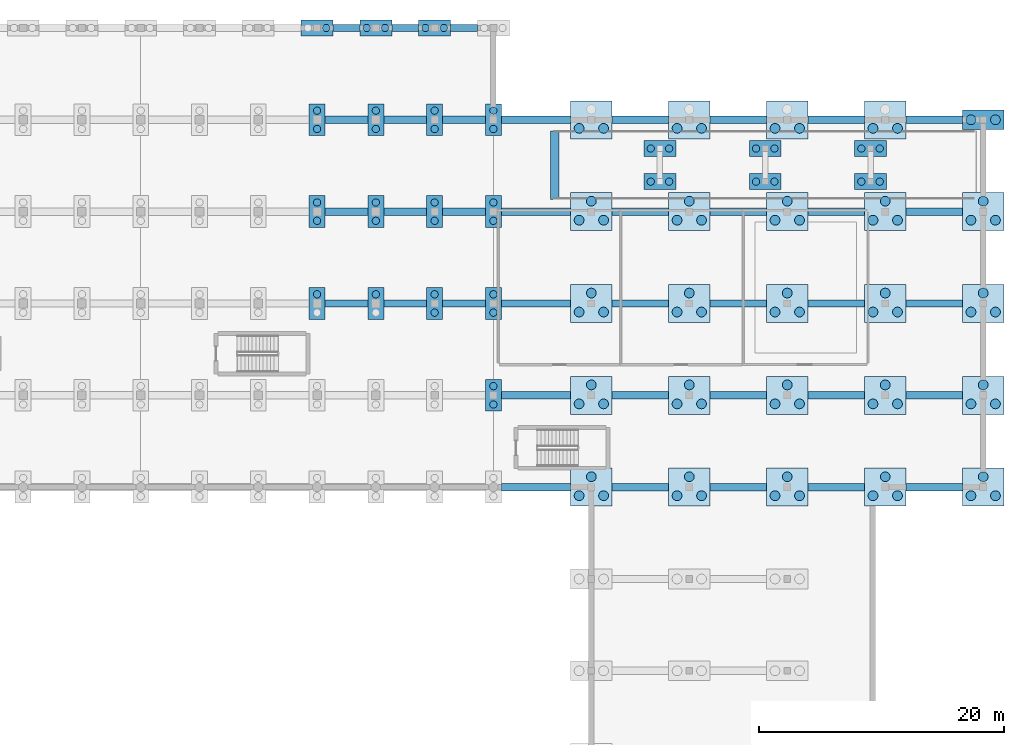
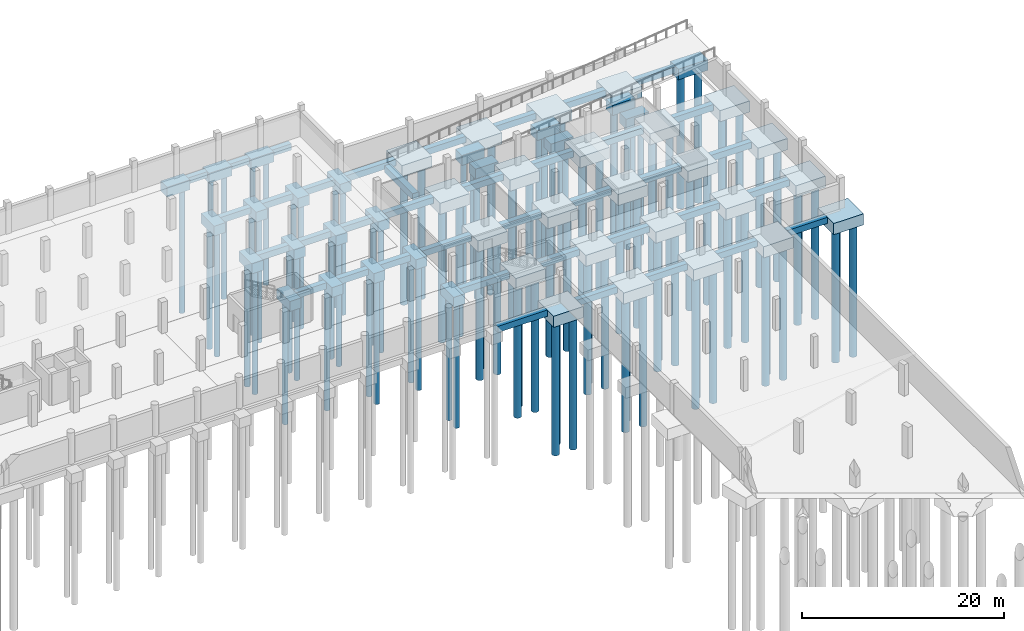
# One storey, part 3 of 17: 111 piles, 85 footings.
"""IFC4 building model written with IfcOpenShell, lengths in metres."""

from ifc_helpers import new_model, si_unit, direction, frame, origin, origin_2d, place, context, subcontext, project, spatial, rectangle, circle, extrude, material, material_profile, profile_set, type_object, element, save


model = new_model("IFC4")

# Units and contexts
model_context = context("Model", 3, precision=1e-05, world=origin(), true_north=direction((0.0, 1.0)))
body_context = subcontext(model_context, "Body", "Model", "MODEL_VIEW")
ifc_project = project(units=[si_unit("LENGTHUNIT", "METRE"), si_unit("AREAUNIT", "SQUARE_METRE"), si_unit("VOLUMEUNIT", "CUBIC_METRE"), si_unit("PLANEANGLEUNIT", "RADIAN"), si_unit("MASSUNIT", "GRAM", prefix="KILO")], contexts=[model_context])

# Site, building, storey
site_placement = place(None, origin())
site = spatial("IfcSite", under=ifc_project, at=site_placement, CompositionType="ELEMENT")
building_placement = place(site_placement, origin())
building = spatial("IfcBuilding", under=site, at=building_placement, Name="Mawjan Specialist Oncology Clinic", CompositionType="ELEMENT")
storey_placement = place(building_placement, frame((0.0, 0.0, -4.199951171875)))
storey = spatial("IfcBuildingStorey", under=building, at=storey_placement, Name="B01", CompositionType="ELEMENT", Elevation=-4.199951171875)

# Footings
ifc_material_1 = material(Name="Concrete C40/50", Category="concrete")
footing_type_1 = type_object("IfcFootingType", Name="PC-2A", PredefinedType="PILE_CAP", material=ifc_material_1)
for number, where, z_axis, x_axis, name in (
    (1, (93.60009765625, 90.800048828125, -1.64990234375), (0.0, 0.0, 1.0), (0.0, 1.0, 0.0), "Pile Cap FTG-PC-182"),
    (2, (93.60009765625, 98.300048828125, -1.64990234375), (0.0, 0.0, 1.0), (0.0, 1.0, 0.0), "Pile Cap FTG-PC-183"),
    (3, (93.60009765625, 105.800048828125, -1.64990234375), (0.0, 0.0, 1.0), (0.0, 1.0, 0.0), "Pile Cap FTG-PC-184"),
    (4, (93.60009765625, 113.300048828125, -1.64990234375), (0.0, 0.0, 1.0), (1.0, 0.0, 0.0), "Pile Cap FTG-PC-185"),
    (5, (98.39990234375, 90.800048828125, -1.64990234375), (0.0, 0.0, 1.0), (0.0, 1.0, 0.0), "Pile Cap FTG-PC-192"),
    (6, (98.39990234375, 98.300048828125, -1.64990234375), (0.0, 0.0, 1.0), (0.0, 1.0, 0.0), "Pile Cap FTG-PC-193"),
    (7, (98.39990234375, 105.800048828125, -1.64990234375), (0.0, 0.0, 1.0), (0.0, 1.0, 0.0), "Pile Cap FTG-PC-194"),
    (8, (98.39990234375, 113.300048828125, -1.64990234375), (0.0, 0.0, 1.0), (1.0, 0.0, 0.0), "Pile Cap FTG-PC-195"),
    (9, (103.199951171875, 90.800048828125, -1.64990234375), (0.0, 0.0, 1.0), (0.0, 1.0, 0.0), "Pile Cap FTG-PC-202"),
    (10, (103.199951171875, 98.300048828125, -1.64990234375), (0.0, 0.0, 1.0), (0.0, 1.0, 0.0), "Pile Cap FTG-PC-203"),
    (11, (103.199951171875, 105.800048828125, -1.64990234375), (0.0, 0.0, 1.0), (0.0, 1.0, 0.0), "Pile Cap FTG-PC-204"),
    (12, (103.199951171875, 113.300048828125, -1.64990234375), (0.0, 0.0, 1.0), (1.0, 0.0, 0.0), "Pile Cap FTG-PC-205"),
    (13, (108.0, 83.300048828125, -1.64990234375), (0.0, 0.0, 1.0), (0.0, 1.0, 0.0), "Pile Cap FTG-PC-211"),
    (14, (108.0, 90.800048828125, -1.64990234375), (0.0, 0.0, 1.0), (0.0, 1.0, 0.0), "Pile Cap FTG-PC-212"),
    (15, (108.0, 98.300048828125, -1.64990234375), (0.0, 0.0, 1.0), (0.0, 1.0, 0.0), "Pile Cap FTG-PC-213"),
    (16, (108.0, 105.800048828125, -1.64990234375), (0.0, 0.0, 1.0), (0.0, 1.0, 0.0), "Pile Cap FTG-PC-214"),
    (17, (121.60009765625, 100.75, -1.64990234375), (0.0, 0.0, 1.0), (1.0, 0.0, 0.0), "Vehicle Ramp Support Pile Cap 1-1"),
    (18, (121.60009765625, 103.449951171875, -1.64990234375), (0.0, 0.0, 1.0), (1.0, 0.0, 0.0), "Vehicle Ramp Support Pile Cap 1-2"),
    (19, (130.199951171875, 100.75, -1.64990234375), (0.0, 0.0, 1.0), (1.0, 0.0, 0.0), "Vehicle Ramp Support Pile Cap 2-1"),
    (20, (130.199951171875, 103.449951171875, -1.64990234375), (0.0, 0.0, 1.0), (1.0, 0.0, 0.0), "Vehicle Ramp Support Pile Cap 2-2"),
    (21, (138.800048828125, 100.75, -1.64990234375), (0.0, 0.0, 1.0), (1.0, 0.0, 0.0), "Vehicle Ramp Support Pile Cap 3-1"),
    (22, (138.800048828125, 103.449951171875, -1.64990234375), (0.0, 0.0, 1.0), (1.0, 0.0, 0.0), "Vehicle Ramp Support Pile Cap 3-2"),
):
    element("IfcFooting", number, at=place(storey_placement, frame(where, z_axis=z_axis, x_axis=x_axis)), inside=storey, type_object=footing_type_1, Name=name, PredefinedType="PILE_CAP", context=body_context, shape_type="SweptSolid", body=[
        extrude(rectangle(XDim=2.60009765625, YDim=1.300048828125, at=origin_2d()), origin(), (0.0, 0.0, 1.0), 1.199951171875),
    ])
ifc_material_2 = material(Name="Concrete C40/50", Category="concrete")
footing_type_2 = type_object("IfcFootingType", Name="PC-2B", PredefinedType="PILE_CAP", material=ifc_material_2)
footing_1_placement = place(storey_placement, frame((148.0, 105.800048828125, -1.75), z_axis=(0.0, 0.0, 1.0), x_axis=(1.0, 0.0, 0.0)))
element("IfcFooting", 23, at=footing_1_placement, inside=storey, type_object=footing_type_2, Name="Pile Cap FTG-PC-253", PredefinedType="PILE_CAP", context=body_context, shape_type="SweptSolid", body=[
    extrude(rectangle(XDim=3.39990234375, YDim=1.60009765625, at=origin_2d()), origin(), (0.0, 0.0, 1.0), 1.300048828125),
])
ifc_material_3 = material(Name="Concrete C40/50", Category="concrete")
footing_type_3 = type_object("IfcFootingType", Name="PC-3A", PredefinedType="PILE_CAP", material=ifc_material_3)
for number, where, z_axis, x_axis, name in (
    (24, (116.0, 75.800048828125, -1.800048828125), (0.0, 0.0, 1.0), (1.0, 0.0, 0.0), "Pile Cap FTG-PC-219"),
    (25, (116.0, 83.300048828125, -1.800048828125), (0.0, 0.0, 1.0), (1.0, 0.0, 0.0), "Pile Cap FTG-PC-220"),
    (26, (116.0, 90.800048828125, -1.800048828125), (0.0, 0.0, 1.0), (1.0, 0.0, 0.0), "Pile Cap FTG-PC-221"),
    (27, (116.0, 98.300048828125, -1.800048828125), (0.0, 0.0, 1.0), (1.0, 0.0, 0.0), "Pile Cap FTG-PC-222"),
    (28, (116.0, 105.800048828125, -1.800048828125), (0.0, 0.0, 1.0), (1.0, 0.0, 0.0), "Pile Cap FTG-PC-223"),
    (29, (124.0, 75.800048828125, -1.800048828125), (0.0, 0.0, 1.0), (1.0, 0.0, 0.0), "Pile Cap FTG-PC-228"),
    (30, (124.0, 83.300048828125, -1.800048828125), (0.0, 0.0, 1.0), (1.0, 0.0, 0.0), "Pile Cap FTG-PC-229"),
    (31, (124.0, 90.800048828125, -1.800048828125), (0.0, 0.0, 1.0), (1.0, 0.0, 0.0), "Pile Cap FTG-PC-230"),
    (32, (124.0, 98.300048828125, -1.800048828125), (0.0, 0.0, 1.0), (1.0, 0.0, 0.0), "Pile Cap FTG-PC-231"),
    (33, (124.0, 105.800048828125, -1.800048828125), (0.0, 0.0, 1.0), (1.0, 0.0, 0.0), "Pile Cap FTG-PC-232"),
    (34, (132.0, 75.800048828125, -1.800048828125), (0.0, 0.0, 1.0), (1.0, 0.0, 0.0), "Pile Cap FTG-PC-237"),
    (35, (132.0, 83.300048828125, -1.800048828125), (0.0, 0.0, 1.0), (1.0, 0.0, 0.0), "Pile Cap FTG-PC-238"),
    (36, (132.0, 90.800048828125, -1.800048828125), (0.0, 0.0, 1.0), (1.0, 0.0, 0.0), "Pile Cap FTG-PC-239"),
    (37, (132.0, 98.300048828125, -1.800048828125), (0.0, 0.0, 1.0), (1.0, 0.0, 0.0), "Pile Cap FTG-PC-240"),
    (38, (132.0, 105.800048828125, -1.800048828125), (0.0, 0.0, 1.0), (1.0, 0.0, 0.0), "Pile Cap FTG-PC-241"),
    (39, (140.0, 75.800048828125, -1.800048828125), (0.0, 0.0, 1.0), (1.0, 0.0, 0.0), "Pile Cap FTG-PC-243"),
    (40, (140.0, 83.300048828125, -1.800048828125), (0.0, 0.0, 1.0), (1.0, 0.0, 0.0), "Pile Cap FTG-PC-244"),
    (41, (140.0, 90.800048828125, -1.800048828125), (0.0, 0.0, 1.0), (1.0, 0.0, 0.0), "Pile Cap FTG-PC-245"),
    (42, (140.0, 98.300048828125, -1.800048828125), (0.0, 0.0, 1.0), (1.0, 0.0, 0.0), "Pile Cap FTG-PC-246"),
    (43, (140.0, 105.800048828125, -1.800048828125), (0.0, 0.0, 1.0), (1.0, 0.0, 0.0), "Pile Cap FTG-PC-247"),
    (44, (148.0, 75.800048828125, -1.800048828125), (0.0, 0.0, 1.0), (1.0, 0.0, 0.0), "Pile Cap FTG-PC-249"),
    (45, (148.0, 83.300048828125, -1.800048828125), (0.0, 0.0, 1.0), (1.0, 0.0, 0.0), "Pile Cap FTG-PC-250"),
    (46, (148.0, 90.800048828125, -1.800048828125), (0.0, 0.0, 1.0), (1.0, 0.0, 0.0), "Pile Cap FTG-PC-251"),
    (47, (148.0, 98.300048828125, -1.800048828125), (0.0, 0.0, 1.0), (1.0, 0.0, 0.0), "Pile Cap FTG-PC-252"),
):
    element("IfcFooting", number, at=place(storey_placement, frame(where, z_axis=z_axis, x_axis=x_axis)), inside=storey, type_object=footing_type_3, Name=name, PredefinedType="PILE_CAP", context=body_context, shape_type="SweptSolid", body=[
        extrude(rectangle(XDim=3.39990234375, YDim=3.10009765625, at=origin_2d()), origin(), (0.0, 0.0, 1.0), 1.35009765625),
    ])

# Piles
ifc_material_4 = material(Name="Concrete C40/50", Category="concrete")
ifc_material_profile_1 = material_profile(ifc_material_4, circle(Radius=0.300048828125, at=origin_2d()), Name="BORED PILE D600", Category="concrete")
ifc_profile_set_1 = profile_set([ifc_material_profile_1], Name="Concrete C40/50")
pile_type_1 = type_object("IfcPileType", Name="PILE-600", PredefinedType="BORED", material=ifc_profile_set_1)
for number, where, z_axis, x_axis, name in (
    (48, (93.60009765625, 91.550048828125, -1.550048828125), (0.0, 0.0, -1.0), (1.0, 0.0, 0.0), "Bored Pile PIL-0462"),
    (49, (93.60009765625, 97.550048828125, -1.550048828125), (0.0, 0.0, -1.0), (1.0, 0.0, 0.0), "Bored Pile PIL-0463"),
    (50, (93.60009765625, 99.050048828125, -1.550048828125), (0.0, 0.0, -1.0), (1.0, 0.0, 0.0), "Bored Pile PIL-0464"),
    (51, (93.60009765625, 105.050048828125, -1.550048828125), (0.0, 0.0, -1.0), (1.0, 0.0, 0.0), "Bored Pile PIL-0465"),
    (52, (93.60009765625, 106.550048828125, -1.550048828125), (0.0, 0.0, -1.0), (1.0, 0.0, 0.0), "Bored Pile PIL-0466"),
    (53, (94.35009765625, 113.300048828125, -1.550048828125), (0.0, 0.0, -1.0), (1.0, 0.0, 0.0), "Bored Pile PIL-0468"),
    (54, (98.39990234375, 91.550048828125, -1.550048828125), (0.0, 0.0, -1.0), (1.0, 0.0, 0.0), "Bored Pile PIL-0482"),
    (55, (98.39990234375, 97.550048828125, -1.550048828125), (0.0, 0.0, -1.0), (1.0, 0.0, 0.0), "Bored Pile PIL-0483"),
    (56, (98.39990234375, 99.050048828125, -1.550048828125), (0.0, 0.0, -1.0), (1.0, 0.0, 0.0), "Bored Pile PIL-0484"),
    (57, (98.39990234375, 105.050048828125, -1.550048828125), (0.0, 0.0, -1.0), (1.0, 0.0, 0.0), "Bored Pile PIL-0485"),
    (58, (98.39990234375, 106.550048828125, -1.550048828125), (0.0, 0.0, -1.0), (1.0, 0.0, 0.0), "Bored Pile PIL-0486"),
    (59, (97.64990234375, 113.300048828125, -1.550048828125), (0.0, 0.0, -1.0), (1.0, 0.0, 0.0), "Bored Pile PIL-0487"),
    (60, (99.14990234375, 113.300048828125, -1.550048828125), (0.0, 0.0, -1.0), (1.0, 0.0, 0.0), "Bored Pile PIL-0488"),
    (61, (103.199951171875, 90.050048828125, -1.550048828125), (0.0, 0.0, -1.0), (1.0, 0.0, 0.0), "Bored Pile PIL-0501"),
    (62, (103.199951171875, 91.550048828125, -1.550048828125), (0.0, 0.0, -1.0), (1.0, 0.0, 0.0), "Bored Pile PIL-0502"),
    (63, (103.199951171875, 97.550048828125, -1.550048828125), (0.0, 0.0, -1.0), (1.0, 0.0, 0.0), "Bored Pile PIL-0503"),
    (64, (103.199951171875, 99.050048828125, -1.550048828125), (0.0, 0.0, -1.0), (1.0, 0.0, 0.0), "Bored Pile PIL-0504"),
    (65, (103.199951171875, 105.050048828125, -1.550048828125), (0.0, 0.0, -1.0), (1.0, 0.0, 0.0), "Bored Pile PIL-0505"),
    (66, (103.199951171875, 106.550048828125, -1.550048828125), (0.0, 0.0, -1.0), (1.0, 0.0, 0.0), "Bored Pile PIL-0506"),
    (67, (102.449951171875, 113.300048828125, -1.550048828125), (0.0, 0.0, -1.0), (1.0, 0.0, 0.0), "Bored Pile PIL-0507"),
    (68, (103.949951171875, 113.300048828125, -1.550048828125), (0.0, 0.0, -1.0), (1.0, 0.0, 0.0), "Bored Pile PIL-0508"),
    (69, (108.0, 82.550048828125, -1.550048828125), (0.0, 0.0, -1.0), (1.0, 0.0, 0.0), "Bored Pile PIL-0519"),
    (70, (108.0, 84.050048828125, -1.550048828125), (0.0, 0.0, -1.0), (1.0, 0.0, 0.0), "Bored Pile PIL-0520"),
    (71, (108.0, 90.050048828125, -1.550048828125), (0.0, 0.0, -1.0), (1.0, 0.0, 0.0), "Bored Pile PIL-0521"),
    (72, (108.0, 91.550048828125, -1.550048828125), (0.0, 0.0, -1.0), (1.0, 0.0, 0.0), "Bored Pile PIL-0522"),
    (73, (108.0, 97.550048828125, -1.550048828125), (0.0, 0.0, -1.0), (1.0, 0.0, 0.0), "Bored Pile PIL-0523"),
    (74, (108.0, 99.050048828125, -1.550048828125), (0.0, 0.0, -1.0), (1.0, 0.0, 0.0), "Bored Pile PIL-0524"),
    (75, (108.0, 105.050048828125, -1.550048828125), (0.0, 0.0, -1.0), (1.0, 0.0, 0.0), "Bored Pile PIL-0525"),
    (76, (108.0, 106.550048828125, -1.550048828125), (0.0, 0.0, -1.0), (1.0, 0.0, 0.0), "Bored Pile PIL-0526"),
    (77, (120.85009765625, 100.75, -1.550048828125), (0.0, 0.0, -1.0), (1.0, 0.0, 0.0), "Vehicle Ramp Bored Pile 1-1-1"),
    (78, (122.35009765625, 100.75, -1.550048828125), (0.0, 0.0, -1.0), (1.0, 0.0, 0.0), "Vehicle Ramp Bored Pile 1-1-2"),
    (79, (120.85009765625, 103.449951171875, -1.550048828125), (0.0, 0.0, -1.0), (1.0, 0.0, 0.0), "Vehicle Ramp Bored Pile 1-2-1"),
    (80, (122.35009765625, 103.449951171875, -1.550048828125), (0.0, 0.0, -1.0), (1.0, 0.0, 0.0), "Vehicle Ramp Bored Pile 1-2-2"),
    (81, (129.449951171875, 100.75, -1.550048828125), (0.0, 0.0, -1.0), (1.0, 0.0, 0.0), "Vehicle Ramp Bored Pile 2-1-1"),
    (82, (130.949951171875, 100.75, -1.550048828125), (0.0, 0.0, -1.0), (1.0, 0.0, 0.0), "Vehicle Ramp Bored Pile 2-1-2"),
    (83, (129.449951171875, 103.449951171875, -1.550048828125), (0.0, 0.0, -1.0), (1.0, 0.0, 0.0), "Vehicle Ramp Bored Pile 2-2-1"),
    (84, (130.949951171875, 103.449951171875, -1.550048828125), (0.0, 0.0, -1.0), (1.0, 0.0, 0.0), "Vehicle Ramp Bored Pile 2-2-2"),
    (85, (138.050048828125, 100.75, -1.550048828125), (0.0, 0.0, -1.0), (1.0, 0.0, 0.0), "Vehicle Ramp Bored Pile 3-1-1"),
    (86, (139.550048828125, 100.75, -1.550048828125), (0.0, 0.0, -1.0), (1.0, 0.0, 0.0), "Vehicle Ramp Bored Pile 3-1-2"),
    (87, (138.050048828125, 103.449951171875, -1.550048828125), (0.0, 0.0, -1.0), (1.0, 0.0, 0.0), "Vehicle Ramp Bored Pile 3-2-1"),
    (88, (139.550048828125, 103.449951171875, -1.550048828125), (0.0, 0.0, -1.0), (1.0, 0.0, 0.0), "Vehicle Ramp Bored Pile 3-2-2"),
):
    element("IfcPile", number, at=place(storey_placement, frame(where, z_axis=z_axis, x_axis=x_axis)), inside=storey, type_object=pile_type_1, Name=name, PredefinedType="BORED", context=body_context, shape_type="SweptSolid", body=[
        extrude(circle(Radius=0.300048828125, at=origin_2d()), origin(), (0.0, 0.0, 1.0), 15.050048828125),
    ])
ifc_material_5 = material(Name="Concrete C40/50", Category="concrete")
ifc_material_profile_2 = material_profile(ifc_material_5, circle(Radius=0.39990234375, at=origin_2d()), Name="BORED PILE D800", Category="concrete")
ifc_profile_set_2 = profile_set([ifc_material_profile_2], Name="Concrete C40/50")
pile_type_2 = type_object("IfcPileType", Name="PILE-800", PredefinedType="BORED", material=ifc_profile_set_2)
for number, where, z_axis, x_axis, name in (
    (89, (115.0, 75.10009765625, -1.699951171875), (0.0, 0.0, -1.0), (1.0, 0.0, 0.0), "Bored Pile PIL-0536"),
    (90, (117.0, 75.10009765625, -1.699951171875), (0.0, 0.0, -1.0), (1.0, 0.0, 0.0), "Bored Pile PIL-0537"),
    (91, (116.0, 76.64990234375, -1.699951171875), (0.0, 0.0, -1.0), (1.0, 0.0, 0.0), "Bored Pile PIL-0538"),
    (92, (115.0, 82.60009765625, -1.699951171875), (0.0, 0.0, -1.0), (1.0, 0.0, 0.0), "Bored Pile PIL-0539"),
    (93, (117.0, 82.60009765625, -1.699951171875), (0.0, 0.0, -1.0), (1.0, 0.0, 0.0), "Bored Pile PIL-0540"),
    (94, (116.0, 84.14990234375, -1.699951171875), (0.0, 0.0, -1.0), (1.0, 0.0, 0.0), "Bored Pile PIL-0541"),
    (95, (115.0, 90.10009765625, -1.699951171875), (0.0, 0.0, -1.0), (1.0, 0.0, 0.0), "Bored Pile PIL-0542"),
    (96, (117.0, 90.10009765625, -1.699951171875), (0.0, 0.0, -1.0), (1.0, 0.0, 0.0), "Bored Pile PIL-0543"),
    (97, (116.0, 91.64990234375, -1.699951171875), (0.0, 0.0, -1.0), (1.0, 0.0, 0.0), "Bored Pile PIL-0544"),
    (98, (115.0, 97.60009765625, -1.699951171875), (0.0, 0.0, -1.0), (1.0, 0.0, 0.0), "Bored Pile PIL-0545"),
    (99, (117.0, 97.60009765625, -1.699951171875), (0.0, 0.0, -1.0), (1.0, 0.0, 0.0), "Bored Pile PIL-0546"),
    (100, (116.0, 99.14990234375, -1.699951171875), (0.0, 0.0, -1.0), (1.0, 0.0, 0.0), "Bored Pile PIL-0547"),
    (101, (115.0, 105.10009765625, -1.699951171875), (0.0, 0.0, -1.0), (1.0, 0.0, 0.0), "Bored Pile PIL-0548"),
    (102, (117.0, 105.10009765625, -1.699951171875), (0.0, 0.0, -1.0), (1.0, 0.0, 0.0), "Bored Pile PIL-0549"),
    (103, (123.0, 75.10009765625, -1.699951171875), (0.0, 0.0, -1.0), (1.0, 0.0, 0.0), "Bored Pile PIL-0559"),
    (104, (125.0, 75.10009765625, -1.699951171875), (0.0, 0.0, -1.0), (1.0, 0.0, 0.0), "Bored Pile PIL-0560"),
    (105, (124.0, 76.64990234375, -1.699951171875), (0.0, 0.0, -1.0), (1.0, 0.0, 0.0), "Bored Pile PIL-0561"),
    (106, (123.0, 82.60009765625, -1.699951171875), (0.0, 0.0, -1.0), (1.0, 0.0, 0.0), "Bored Pile PIL-0562"),
    (107, (125.0, 82.60009765625, -1.699951171875), (0.0, 0.0, -1.0), (1.0, 0.0, 0.0), "Bored Pile PIL-0563"),
    (108, (124.0, 84.14990234375, -1.699951171875), (0.0, 0.0, -1.0), (1.0, 0.0, 0.0), "Bored Pile PIL-0564"),
    (109, (123.0, 90.10009765625, -1.699951171875), (0.0, 0.0, -1.0), (1.0, 0.0, 0.0), "Bored Pile PIL-0565"),
    (110, (125.0, 90.10009765625, -1.699951171875), (0.0, 0.0, -1.0), (1.0, 0.0, 0.0), "Bored Pile PIL-0566"),
    (111, (124.0, 91.64990234375, -1.699951171875), (0.0, 0.0, -1.0), (1.0, 0.0, 0.0), "Bored Pile PIL-0567"),
    (112, (123.0, 97.60009765625, -1.699951171875), (0.0, 0.0, -1.0), (1.0, 0.0, 0.0), "Bored Pile PIL-0568"),
    (113, (125.0, 97.60009765625, -1.699951171875), (0.0, 0.0, -1.0), (1.0, 0.0, 0.0), "Bored Pile PIL-0569"),
    (114, (124.0, 99.14990234375, -1.699951171875), (0.0, 0.0, -1.0), (1.0, 0.0, 0.0), "Bored Pile PIL-0570"),
    (115, (123.0, 105.10009765625, -1.699951171875), (0.0, 0.0, -1.0), (1.0, 0.0, 0.0), "Bored Pile PIL-0571"),
    (116, (125.0, 105.10009765625, -1.699951171875), (0.0, 0.0, -1.0), (1.0, 0.0, 0.0), "Bored Pile PIL-0572"),
    (117, (131.0, 75.10009765625, -1.699951171875), (0.0, 0.0, -1.0), (1.0, 0.0, 0.0), "Bored Pile PIL-0582"),
    (118, (133.0, 75.10009765625, -1.699951171875), (0.0, 0.0, -1.0), (1.0, 0.0, 0.0), "Bored Pile PIL-0583"),
    (119, (132.0, 76.64990234375, -1.699951171875), (0.0, 0.0, -1.0), (1.0, 0.0, 0.0), "Bored Pile PIL-0584"),
    (120, (131.0, 82.60009765625, -1.699951171875), (0.0, 0.0, -1.0), (1.0, 0.0, 0.0), "Bored Pile PIL-0585"),
    (121, (133.0, 82.60009765625, -1.699951171875), (0.0, 0.0, -1.0), (1.0, 0.0, 0.0), "Bored Pile PIL-0586"),
    (122, (132.0, 84.14990234375, -1.699951171875), (0.0, 0.0, -1.0), (1.0, 0.0, 0.0), "Bored Pile PIL-0587"),
    (123, (131.0, 90.10009765625, -1.699951171875), (0.0, 0.0, -1.0), (1.0, 0.0, 0.0), "Bored Pile PIL-0588"),
    (124, (133.0, 90.10009765625, -1.699951171875), (0.0, 0.0, -1.0), (1.0, 0.0, 0.0), "Bored Pile PIL-0589"),
    (125, (132.0, 91.64990234375, -1.699951171875), (0.0, 0.0, -1.0), (1.0, 0.0, 0.0), "Bored Pile PIL-0590"),
    (126, (131.0, 97.60009765625, -1.699951171875), (0.0, 0.0, -1.0), (1.0, 0.0, 0.0), "Bored Pile PIL-0591"),
    (127, (133.0, 97.60009765625, -1.699951171875), (0.0, 0.0, -1.0), (1.0, 0.0, 0.0), "Bored Pile PIL-0592"),
    (128, (132.0, 99.14990234375, -1.699951171875), (0.0, 0.0, -1.0), (1.0, 0.0, 0.0), "Bored Pile PIL-0593"),
    (129, (131.0, 105.10009765625, -1.699951171875), (0.0, 0.0, -1.0), (1.0, 0.0, 0.0), "Bored Pile PIL-0594"),
    (130, (133.0, 105.10009765625, -1.699951171875), (0.0, 0.0, -1.0), (1.0, 0.0, 0.0), "Bored Pile PIL-0595"),
    (131, (139.0, 75.10009765625, -1.699951171875), (0.0, 0.0, -1.0), (1.0, 0.0, 0.0), "Bored Pile PIL-0599"),
    (132, (141.0, 75.10009765625, -1.699951171875), (0.0, 0.0, -1.0), (1.0, 0.0, 0.0), "Bored Pile PIL-0600"),
    (133, (140.0, 76.64990234375, -1.699951171875), (0.0, 0.0, -1.0), (1.0, 0.0, 0.0), "Bored Pile PIL-0601"),
    (134, (139.0, 82.60009765625, -1.699951171875), (0.0, 0.0, -1.0), (1.0, 0.0, 0.0), "Bored Pile PIL-0602"),
    (135, (141.0, 82.60009765625, -1.699951171875), (0.0, 0.0, -1.0), (1.0, 0.0, 0.0), "Bored Pile PIL-0603"),
    (136, (140.0, 84.14990234375, -1.699951171875), (0.0, 0.0, -1.0), (1.0, 0.0, 0.0), "Bored Pile PIL-0604"),
    (137, (139.0, 90.10009765625, -1.699951171875), (0.0, 0.0, -1.0), (1.0, 0.0, 0.0), "Bored Pile PIL-0605"),
    (138, (141.0, 90.10009765625, -1.699951171875), (0.0, 0.0, -1.0), (1.0, 0.0, 0.0), "Bored Pile PIL-0606"),
    (139, (140.0, 91.64990234375, -1.699951171875), (0.0, 0.0, -1.0), (1.0, 0.0, 0.0), "Bored Pile PIL-0607"),
    (140, (139.0, 97.60009765625, -1.699951171875), (0.0, 0.0, -1.0), (1.0, 0.0, 0.0), "Bored Pile PIL-0608"),
    (141, (141.0, 97.60009765625, -1.699951171875), (0.0, 0.0, -1.0), (1.0, 0.0, 0.0), "Bored Pile PIL-0609"),
    (142, (140.0, 99.14990234375, -1.699951171875), (0.0, 0.0, -1.0), (1.0, 0.0, 0.0), "Bored Pile PIL-0610"),
    (143, (139.0, 105.10009765625, -1.699951171875), (0.0, 0.0, -1.0), (1.0, 0.0, 0.0), "Bored Pile PIL-0611"),
    (144, (141.0, 105.10009765625, -1.699951171875), (0.0, 0.0, -1.0), (1.0, 0.0, 0.0), "Bored Pile PIL-0612"),
    (145, (147.0, 75.10009765625, -1.699951171875), (0.0, 0.0, -1.0), (1.0, 0.0, 0.0), "Bored Pile PIL-0616"),
    (146, (149.0, 75.10009765625, -1.699951171875), (0.0, 0.0, -1.0), (1.0, 0.0, 0.0), "Bored Pile PIL-0617"),
    (147, (148.0, 76.64990234375, -1.699951171875), (0.0, 0.0, -1.0), (1.0, 0.0, 0.0), "Bored Pile PIL-0618"),
    (148, (147.0, 82.60009765625, -1.699951171875), (0.0, 0.0, -1.0), (1.0, 0.0, 0.0), "Bored Pile PIL-0619"),
    (149, (149.0, 82.60009765625, -1.699951171875), (0.0, 0.0, -1.0), (1.0, 0.0, 0.0), "Bored Pile PIL-0620"),
    (150, (148.0, 84.14990234375, -1.699951171875), (0.0, 0.0, -1.0), (1.0, 0.0, 0.0), "Bored Pile PIL-0621"),
    (151, (147.0, 90.10009765625, -1.699951171875), (0.0, 0.0, -1.0), (1.0, 0.0, 0.0), "Bored Pile PIL-0622"),
    (152, (149.0, 90.10009765625, -1.699951171875), (0.0, 0.0, -1.0), (1.0, 0.0, 0.0), "Bored Pile PIL-0623"),
    (153, (148.0, 91.64990234375, -1.699951171875), (0.0, 0.0, -1.0), (1.0, 0.0, 0.0), "Bored Pile PIL-0624"),
    (154, (147.0, 97.60009765625, -1.699951171875), (0.0, 0.0, -1.0), (1.0, 0.0, 0.0), "Bored Pile PIL-0625"),
    (155, (149.0, 97.60009765625, -1.699951171875), (0.0, 0.0, -1.0), (1.0, 0.0, 0.0), "Bored Pile PIL-0626"),
    (156, (148.0, 99.14990234375, -1.699951171875), (0.0, 0.0, -1.0), (1.0, 0.0, 0.0), "Bored Pile PIL-0627"),
):
    element("IfcPile", number, at=place(storey_placement, frame(where, z_axis=z_axis, x_axis=x_axis)), inside=storey, type_object=pile_type_2, Name=name, PredefinedType="BORED", context=body_context, shape_type="SweptSolid", body=[
        extrude(circle(Radius=0.39990234375, at=origin_2d()), origin(), (0.0, 0.0, 1.0), 16.10009765625),
    ])
for number, where, z_axis, x_axis, name in (
    (157, (147.0, 105.800048828125, -1.650146484375), (0.0, 0.0, -1.0), (1.0, 0.0, 0.0), "Bored Pile PIL-0628"),
    (158, (149.0, 105.800048828125, -1.650146484375), (0.0, 0.0, -1.0), (1.0, 0.0, 0.0), "Bored Pile PIL-0629"),
):
    element("IfcPile", number, at=place(storey_placement, frame(where, z_axis=z_axis, x_axis=x_axis)), inside=storey, type_object=pile_type_2, Name=name, PredefinedType="BORED", context=body_context, shape_type="SweptSolid", body=[
        extrude(circle(Radius=0.39990234375, at=origin_2d()), origin(), (0.0, 0.0, 1.0), 16.14990234375),
    ])

# Footings
ifc_material_6 = material(Name="Concrete C40/50", Category="concrete")
footing_type_4 = type_object("IfcFootingType", Name="SF-600", PredefinedType="STRIP_FOOTING", material=ifc_material_6)
footing_2_placement = place(storey_placement, frame((113.0, 102.10009765625, -1.025146484375), z_axis=(0.0, 0.0, 1.0), x_axis=(1.0, 0.0, 0.0)))
element("IfcFooting", 159, at=footing_2_placement, inside=storey, type_object=footing_type_4, Name="Vehicle Ramp Bottom Bearing Strip Footing FTG-VR-BOT", PredefinedType="STRIP_FOOTING", context=body_context, shape_type="SweptSolid", body=[
    extrude(rectangle(XDim=0.699951171875, YDim=5.60009765625, at=origin_2d()), origin(), (0.0, 0.0, 1.0), 0.75),
])
footing_3_placement = place(storey_placement, frame((111.47509765625, 75.800048828125, -1.199951171875), z_axis=(0.0, 0.0, 1.0), x_axis=(1.0, 0.0, 0.0)))
element("IfcFooting", 160, at=footing_3_placement, inside=storey, type_object=footing_type_4, Name="Foundation Tie Strip FTG-SF-154", PredefinedType="STRIP_FOOTING", context=body_context, shape_type="SweptSolid", body=[
    extrude(rectangle(XDim=5.64990234375, YDim=0.60009765625, at=origin_2d()), origin(), (0.0, 0.0, 1.0), 0.75),
])
for number, where, z_axis, x_axis, name in (
    (161, (120.0, 75.800048828125, -1.199951171875), (0.0, 0.0, 1.0), (1.0, 0.0, 0.0), "Foundation Tie Strip FTG-SF-155"),
    (162, (128.0, 75.800048828125, -1.199951171875), (0.0, 0.0, 1.0), (1.0, 0.0, 0.0), "Foundation Tie Strip FTG-SF-156"),
    (163, (136.0, 75.800048828125, -1.199951171875), (0.0, 0.0, 1.0), (1.0, 0.0, 0.0), "Foundation Tie Strip FTG-SF-157"),
    (164, (144.0, 75.800048828125, -1.199951171875), (0.0, 0.0, 1.0), (1.0, 0.0, 0.0), "Foundation Tie Strip FTG-SF-158"),
):
    element("IfcFooting", number, at=place(storey_placement, frame(where, z_axis=z_axis, x_axis=x_axis)), inside=storey, type_object=footing_type_4, Name=name, PredefinedType="STRIP_FOOTING", context=body_context, shape_type="SweptSolid", body=[
        extrude(rectangle(XDim=4.60009765625, YDim=0.60009765625, at=origin_2d()), origin(), (0.0, 0.0, 1.0), 0.75),
    ])
footing_4_placement = place(storey_placement, frame((111.47509765625, 83.300048828125, -1.199951171875), z_axis=(0.0, 0.0, 1.0), x_axis=(1.0, 0.0, 0.0)))
element("IfcFooting", 165, at=footing_4_placement, inside=storey, type_object=footing_type_4, Name="Foundation Tie Strip FTG-SF-174", PredefinedType="STRIP_FOOTING", context=body_context, shape_type="SweptSolid", body=[
    extrude(rectangle(XDim=5.64990234375, YDim=0.60009765625, at=origin_2d()), origin(), (0.0, 0.0, 1.0), 0.75),
])
for number, where, z_axis, x_axis, name in (
    (166, (120.0, 83.300048828125, -1.199951171875), (0.0, 0.0, 1.0), (1.0, 0.0, 0.0), "Foundation Tie Strip FTG-SF-175"),
    (167, (128.0, 83.300048828125, -1.199951171875), (0.0, 0.0, 1.0), (1.0, 0.0, 0.0), "Foundation Tie Strip FTG-SF-176"),
    (168, (136.0, 83.300048828125, -1.199951171875), (0.0, 0.0, 1.0), (1.0, 0.0, 0.0), "Foundation Tie Strip FTG-SF-177"),
    (169, (144.0, 83.300048828125, -1.199951171875), (0.0, 0.0, 1.0), (1.0, 0.0, 0.0), "Foundation Tie Strip FTG-SF-178"),
):
    element("IfcFooting", number, at=place(storey_placement, frame(where, z_axis=z_axis, x_axis=x_axis)), inside=storey, type_object=footing_type_4, Name=name, PredefinedType="STRIP_FOOTING", context=body_context, shape_type="SweptSolid", body=[
        extrude(rectangle(XDim=4.60009765625, YDim=0.60009765625, at=origin_2d()), origin(), (0.0, 0.0, 1.0), 0.75),
    ])
for number, where, z_axis, x_axis, name in (
    (170, (96.0, 90.800048828125, -1.199951171875), (0.0, 0.0, 1.0), (1.0, 0.0, 0.0), "Foundation Tie Strip FTG-SF-191"),
    (171, (100.800048828125, 90.800048828125, -1.199951171875), (0.0, 0.0, 1.0), (1.0, 0.0, 0.0), "Foundation Tie Strip FTG-SF-192"),
    (172, (105.60009765625, 90.800048828125, -1.199951171875), (0.0, 0.0, 1.0), (1.0, 0.0, 0.0), "Foundation Tie Strip FTG-SF-193"),
):
    element("IfcFooting", number, at=place(storey_placement, frame(where, z_axis=z_axis, x_axis=x_axis)), inside=storey, type_object=footing_type_4, Name=name, PredefinedType="STRIP_FOOTING", context=body_context, shape_type="SweptSolid", body=[
        extrude(rectangle(XDim=3.5, YDim=0.60009765625, at=origin_2d()), origin(), (0.0, 0.0, 1.0), 0.75),
    ])
footing_5_placement = place(storey_placement, frame((111.47509765625, 90.800048828125, -1.199951171875), z_axis=(0.0, 0.0, 1.0), x_axis=(1.0, 0.0, 0.0)))
element("IfcFooting", 173, at=footing_5_placement, inside=storey, type_object=footing_type_4, Name="Foundation Tie Strip FTG-SF-194", PredefinedType="STRIP_FOOTING", context=body_context, shape_type="SweptSolid", body=[
    extrude(rectangle(XDim=5.64990234375, YDim=0.60009765625, at=origin_2d()), origin(), (0.0, 0.0, 1.0), 0.75),
])
for number, where, z_axis, x_axis, name in (
    (174, (120.0, 90.800048828125, -1.199951171875), (0.0, 0.0, 1.0), (1.0, 0.0, 0.0), "Foundation Tie Strip FTG-SF-195"),
    (175, (128.0, 90.800048828125, -1.199951171875), (0.0, 0.0, 1.0), (1.0, 0.0, 0.0), "Foundation Tie Strip FTG-SF-196"),
    (176, (136.0, 90.800048828125, -1.199951171875), (0.0, 0.0, 1.0), (1.0, 0.0, 0.0), "Foundation Tie Strip FTG-SF-197"),
    (177, (144.0, 90.800048828125, -1.199951171875), (0.0, 0.0, 1.0), (1.0, 0.0, 0.0), "Foundation Tie Strip FTG-SF-198"),
):
    element("IfcFooting", number, at=place(storey_placement, frame(where, z_axis=z_axis, x_axis=x_axis)), inside=storey, type_object=footing_type_4, Name=name, PredefinedType="STRIP_FOOTING", context=body_context, shape_type="SweptSolid", body=[
        extrude(rectangle(XDim=4.60009765625, YDim=0.60009765625, at=origin_2d()), origin(), (0.0, 0.0, 1.0), 0.75),
    ])
for number, where, z_axis, x_axis, name in (
    (178, (96.0, 98.300048828125, -1.199951171875), (0.0, 0.0, 1.0), (1.0, 0.0, 0.0), "Foundation Tie Strip FTG-SF-211"),
    (179, (100.800048828125, 98.300048828125, -1.199951171875), (0.0, 0.0, 1.0), (1.0, 0.0, 0.0), "Foundation Tie Strip FTG-SF-212"),
    (180, (105.60009765625, 98.300048828125, -1.199951171875), (0.0, 0.0, 1.0), (1.0, 0.0, 0.0), "Foundation Tie Strip FTG-SF-213"),
):
    element("IfcFooting", number, at=place(storey_placement, frame(where, z_axis=z_axis, x_axis=x_axis)), inside=storey, type_object=footing_type_4, Name=name, PredefinedType="STRIP_FOOTING", context=body_context, shape_type="SweptSolid", body=[
        extrude(rectangle(XDim=3.5, YDim=0.60009765625, at=origin_2d()), origin(), (0.0, 0.0, 1.0), 0.75),
    ])
footing_6_placement = place(storey_placement, frame((111.47509765625, 98.300048828125, -1.199951171875), z_axis=(0.0, 0.0, 1.0), x_axis=(1.0, 0.0, 0.0)))
element("IfcFooting", 181, at=footing_6_placement, inside=storey, type_object=footing_type_4, Name="Foundation Tie Strip FTG-SF-214", PredefinedType="STRIP_FOOTING", context=body_context, shape_type="SweptSolid", body=[
    extrude(rectangle(XDim=5.64990234375, YDim=0.60009765625, at=origin_2d()), origin(), (0.0, 0.0, 1.0), 0.75),
])
for number, where, z_axis, x_axis, name in (
    (182, (120.0, 98.300048828125, -1.199951171875), (0.0, 0.0, 1.0), (1.0, 0.0, 0.0), "Foundation Tie Strip FTG-SF-215"),
    (183, (128.0, 98.300048828125, -1.199951171875), (0.0, 0.0, 1.0), (1.0, 0.0, 0.0), "Foundation Tie Strip FTG-SF-216"),
    (184, (136.0, 98.300048828125, -1.199951171875), (0.0, 0.0, 1.0), (1.0, 0.0, 0.0), "Foundation Tie Strip FTG-SF-217"),
    (185, (144.0, 98.300048828125, -1.199951171875), (0.0, 0.0, 1.0), (1.0, 0.0, 0.0), "Foundation Tie Strip FTG-SF-218"),
):
    element("IfcFooting", number, at=place(storey_placement, frame(where, z_axis=z_axis, x_axis=x_axis)), inside=storey, type_object=footing_type_4, Name=name, PredefinedType="STRIP_FOOTING", context=body_context, shape_type="SweptSolid", body=[
        extrude(rectangle(XDim=4.60009765625, YDim=0.60009765625, at=origin_2d()), origin(), (0.0, 0.0, 1.0), 0.75),
    ])
for number, where, z_axis, x_axis, name in (
    (186, (96.0, 105.800048828125, -1.199951171875), (0.0, 0.0, 1.0), (1.0, 0.0, 0.0), "Foundation Tie Strip FTG-SF-231"),
    (187, (100.800048828125, 105.800048828125, -1.199951171875), (0.0, 0.0, 1.0), (1.0, 0.0, 0.0), "Foundation Tie Strip FTG-SF-232"),
    (188, (105.60009765625, 105.800048828125, -1.199951171875), (0.0, 0.0, 1.0), (1.0, 0.0, 0.0), "Foundation Tie Strip FTG-SF-233"),
):
    element("IfcFooting", number, at=place(storey_placement, frame(where, z_axis=z_axis, x_axis=x_axis)), inside=storey, type_object=footing_type_4, Name=name, PredefinedType="STRIP_FOOTING", context=body_context, shape_type="SweptSolid", body=[
        extrude(rectangle(XDim=3.5, YDim=0.60009765625, at=origin_2d()), origin(), (0.0, 0.0, 1.0), 0.75),
    ])
footing_7_placement = place(storey_placement, frame((111.47509765625, 105.800048828125, -1.199951171875), z_axis=(0.0, 0.0, 1.0), x_axis=(1.0, 0.0, 0.0)))
element("IfcFooting", 189, at=footing_7_placement, inside=storey, type_object=footing_type_4, Name="Foundation Tie Strip FTG-SF-234", PredefinedType="STRIP_FOOTING", context=body_context, shape_type="SweptSolid", body=[
    extrude(rectangle(XDim=5.64990234375, YDim=0.60009765625, at=origin_2d()), origin(), (0.0, 0.0, 1.0), 0.75),
])
for number, where, z_axis, x_axis, name in (
    (190, (120.0, 105.800048828125, -1.199951171875), (0.0, 0.0, 1.0), (1.0, 0.0, 0.0), "Foundation Tie Strip FTG-SF-235"),
    (191, (128.0, 105.800048828125, -1.199951171875), (0.0, 0.0, 1.0), (1.0, 0.0, 0.0), "Foundation Tie Strip FTG-SF-236"),
    (192, (136.0, 105.800048828125, -1.199951171875), (0.0, 0.0, 1.0), (1.0, 0.0, 0.0), "Foundation Tie Strip FTG-SF-237"),
    (193, (144.0, 105.800048828125, -1.199951171875), (0.0, 0.0, 1.0), (1.0, 0.0, 0.0), "Foundation Tie Strip FTG-SF-238"),
):
    element("IfcFooting", number, at=place(storey_placement, frame(where, z_axis=z_axis, x_axis=x_axis)), inside=storey, type_object=footing_type_4, Name=name, PredefinedType="STRIP_FOOTING", context=body_context, shape_type="SweptSolid", body=[
        extrude(rectangle(XDim=4.60009765625, YDim=0.60009765625, at=origin_2d()), origin(), (0.0, 0.0, 1.0), 0.75),
    ])
for number, where, z_axis, x_axis, name in (
    (194, (96.0, 113.300048828125, -1.199951171875), (0.0, 0.0, 1.0), (1.0, 0.0, 0.0), "Foundation Tie Strip FTG-SF-250"),
    (195, (100.800048828125, 113.300048828125, -1.199951171875), (0.0, 0.0, 1.0), (1.0, 0.0, 0.0), "Foundation Tie Strip FTG-SF-251"),
    (196, (105.60009765625, 113.300048828125, -1.199951171875), (0.0, 0.0, 1.0), (1.0, 0.0, 0.0), "Foundation Tie Strip FTG-SF-252"),
):
    element("IfcFooting", number, at=place(storey_placement, frame(where, z_axis=z_axis, x_axis=x_axis)), inside=storey, type_object=footing_type_4, Name=name, PredefinedType="STRIP_FOOTING", context=body_context, shape_type="SweptSolid", body=[
        extrude(rectangle(XDim=2.199951171875, YDim=0.60009765625, at=origin_2d()), origin(), (0.0, 0.0, 1.0), 0.75),
    ])

save(model, "model.ifc")
